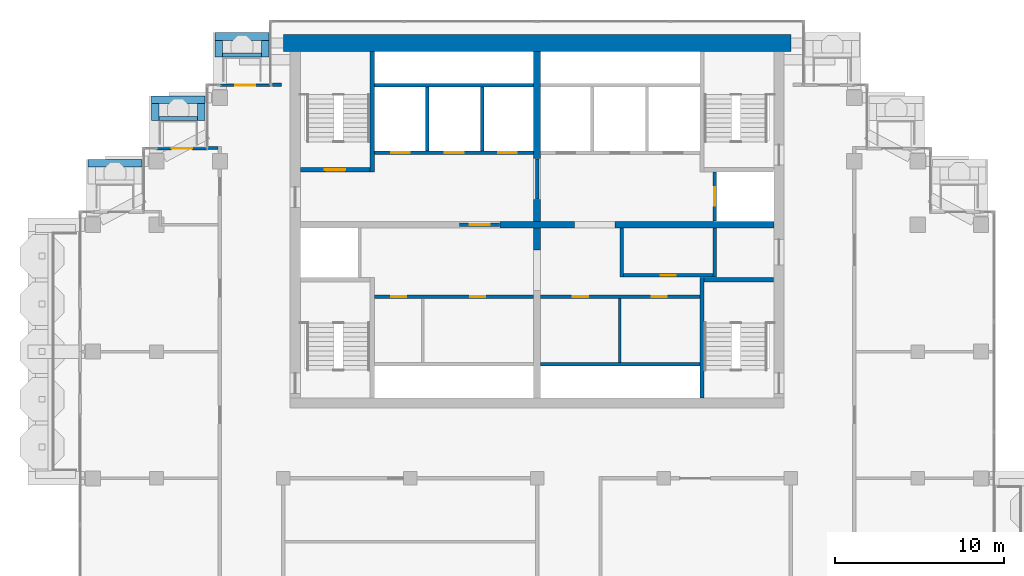
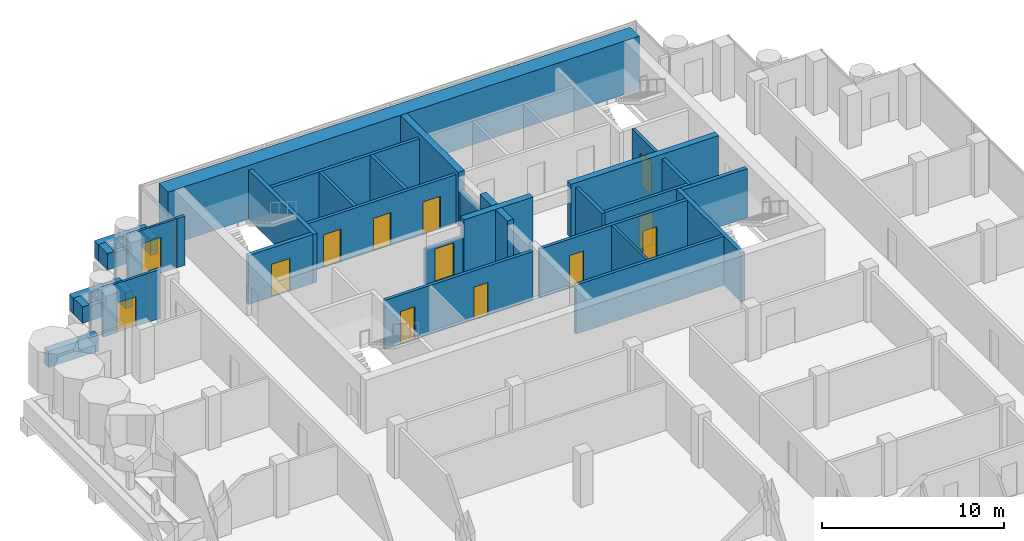
# One storey, part 13 of 18: 37 walls, 13 doors, 13 openings.
"""IFC4 building model written with IfcOpenShell, lengths in metres."""

from ifc_helpers import new_model, si_unit, direction, frame, frame_2d, origin, place, context, subcontext, project, spatial, rectangle, extrude, material, layer, layer_set, type_object, element, fill, save


model = new_model("IFC4")

# Units and contexts
model_context = context("Model", 3, precision=1e-05, world=origin(), true_north=direction((0.0, 1.0)))
body_context = subcontext(model_context, "Body", "Model", "MODEL_VIEW")
ifc_project = project(units=[si_unit("LENGTHUNIT", "METRE"), si_unit("AREAUNIT", "SQUARE_METRE"), si_unit("VOLUMEUNIT", "CUBIC_METRE"), si_unit("PLANEANGLEUNIT", "RADIAN"), si_unit("MASSUNIT", "GRAM", prefix="KILO")], contexts=[model_context])

# Site, building, storey
site_placement = place(None, origin())
site = spatial("IfcSite", under=ifc_project, at=site_placement, CompositionType="ELEMENT")
building_placement = place(site_placement, origin())
building = spatial("IfcBuilding", under=site, at=building_placement, Name="Pilkhan Gate Tower", CompositionType="ELEMENT")
storey_placement = place(building_placement, frame((0.0, 0.0, 228.300048828125)))
storey = spatial("IfcBuildingStorey", under=building, at=storey_placement, Name="L59", CompositionType="ELEMENT", Elevation=228.300048828125)

# Walls
ifc_material_1 = material(Name="Concrete C40/50", Category="concrete")
ifc_layer_1 = layer(ifc_material_1, 0.25)
ifc_layer_set_1 = layer_set([ifc_layer_1], Name="Balcony planter BP250")
wall_type_1 = type_object("IfcWallType", Name="Balcony planter BP250", PredefinedType="USERDEFINED", material=ifc_layer_set_1)
wall_1_placement = place(storey_placement, frame((56.39990234375, 92.52490234375, 0.0), z_axis=(0.0, 0.0, 1.0), x_axis=(1.0, 0.0, 0.0)))
element("IfcWall", 1, at=wall_1_placement, inside=storey, type_object=wall_type_1, Name="Balcony planter L59 N", ObjectType="BALCONY PLANTER", PredefinedType="USERDEFINED", context=body_context, shape_type="SweptSolid", body=[
    extrude(rectangle(XDim=2.300048828125, YDim=0.25, at=frame_2d((1.14990234375, 0.0))), origin(), (0.0, 0.0, 1.0), 1.0),
])
wall_2_placement = place(storey_placement, frame((52.64990234375, 88.77490234375, 0.0), z_axis=(0.0, 0.0, 1.0), x_axis=(1.0, 0.0, 0.0)))
element("IfcWall", 2, at=wall_2_placement, inside=storey, type_object=wall_type_1, Name="Balcony planter L59 N", ObjectType="BALCONY PLANTER", PredefinedType="USERDEFINED", context=body_context, shape_type="SweptSolid", body=[
    extrude(rectangle(XDim=2.280029296875, YDim=0.25, at=frame_2d((1.14013671875, 0.0))), origin(), (0.0, 0.0, 1.0), 1.0),
])
ifc_material_2 = material(Name="Board-marked Concrete C40/50", Category="concrete")
ifc_layer_2 = layer(ifc_material_2, 0.449951171875)
ifc_layer_set_2 = layer_set([ifc_layer_2], Name="Balcony planter lip BL450")
wall_type_2 = type_object("IfcWallType", Name="Balcony planter lip BL450", PredefinedType="USERDEFINED", material=ifc_layer_set_2)
wall_3_placement = place(storey_placement, frame((55.949951171875, 93.625, 0.0), z_axis=(0.0, 0.0, 1.0), x_axis=(1.0, 0.0, 0.0)))
element("IfcWall", 3, at=wall_3_placement, inside=storey, type_object=wall_type_2, Name="Balcony planter L59 N", ObjectType="BALCONY PLANTER", PredefinedType="USERDEFINED", context=body_context, shape_type="SweptSolid", body=[
    extrude(rectangle(XDim=3.199951171875, YDim=0.449951171875, at=frame_2d((1.60009765625, 0.0))), origin(), (0.0, 0.0, 1.0), 1.099853515625),
])
for number, where, z_axis, x_axis, name in (
    (4, (56.175048828125, 92.39990234375, 0.0), (0.0, 0.0, 1.0), (0.0, 1.0, 0.0), "Balcony planter L59 N"),
    (5, (58.925048828125, 92.39990234375, 0.0), (0.0, 0.0, 1.0), (0.0, 1.0, 0.0), "Balcony planter L59 N"),
):
    element("IfcWall", number, at=place(storey_placement, frame(where, z_axis=z_axis, x_axis=x_axis)), inside=storey, type_object=wall_type_2, Name=name, ObjectType="BALCONY PLANTER", PredefinedType="USERDEFINED", context=body_context, shape_type="SweptSolid", body=[
        extrude(rectangle(XDim=1.0, YDim=0.449951171875, at=frame_2d((0.5, 0.0))), origin(), (0.0, 0.0, 1.0), 1.099853515625),
    ])
wall_4_placement = place(storey_placement, frame((52.199951171875, 89.875, 0.0), z_axis=(0.0, 0.0, 1.0), x_axis=(1.0, 0.0, 0.0)))
element("IfcWall", 6, at=wall_4_placement, inside=storey, type_object=wall_type_2, Name="Balcony planter L59 N", ObjectType="BALCONY PLANTER", PredefinedType="USERDEFINED", context=body_context, shape_type="SweptSolid", body=[
    extrude(rectangle(XDim=3.179931640625, YDim=0.449951171875, at=frame_2d((1.58984375, 0.0))), origin(), (0.0, 0.0, 1.0), 1.099853515625),
])
for number, where, z_axis, x_axis, name in (
    (7, (52.425048828125, 88.64990234375, 0.0), (0.0, 0.0, 1.0), (0.0, 1.0, 0.0), "Balcony planter L59 N"),
    (8, (55.155029296875, 88.64990234375, 0.0), (0.0, 0.0, 1.0), (0.0, 1.0, 0.0), "Balcony planter L59 N"),
):
    element("IfcWall", number, at=place(storey_placement, frame(where, z_axis=z_axis, x_axis=x_axis)), inside=storey, type_object=wall_type_2, Name=name, ObjectType="BALCONY PLANTER", PredefinedType="USERDEFINED", context=body_context, shape_type="SweptSolid", body=[
        extrude(rectangle(XDim=1.0, YDim=0.449951171875, at=frame_2d((0.5, 0.0))), origin(), (0.0, 0.0, 1.0), 1.099853515625),
    ])
wall_5_placement = place(storey_placement, frame((48.449951171875, 86.125, 0.0), z_axis=(0.0, 0.0, 1.0), x_axis=(1.0, 0.0, 0.0)))
element("IfcWall", 9, at=wall_5_placement, inside=storey, type_object=wall_type_2, Name="Balcony planter L59 N", ObjectType="BALCONY PLANTER", PredefinedType="USERDEFINED", context=body_context, shape_type="SweptSolid", body=[
    extrude(rectangle(XDim=3.179931640625, YDim=0.449951171875, at=frame_2d((1.58984375, 0.0))), origin(), (0.0, 0.0, 1.0), 1.099853515625),
])
ifc_material_3 = material(Name="Concrete C50/60", Category="concrete")
ifc_layer_3 = layer(ifc_material_3, 1.0)
ifc_layer_set_3 = layer_set([ifc_layer_3], Name="Core wall CW1000 C50/60")
wall_type_3 = type_object("IfcWallType", Name="Core wall CW1000 C50/60", PredefinedType="SHEAR", material=ifc_layer_set_3)
wall_6_placement = place(storey_placement, frame((90.0, 93.25, 0.0), z_axis=(0.0, 0.0, 1.0), x_axis=(-1.0, 0.0, 0.0)))
element("IfcWall", 10, at=wall_6_placement, inside=storey, type_object=wall_type_3, Name="Core wall N L59", PredefinedType="SHEAR", context=body_context, shape_type="SweptSolid", body=[
    extrude(rectangle(XDim=30.0, YDim=1.0, at=frame_2d((15.0, 0.0))), origin(), (0.0, 0.0, 1.0), 3.599853515625),
])
ifc_material_4 = material(Name="Dense blockwork", Category="masonry")
ifc_layer_4 = layer(ifc_material_4, 0.199951171875)
ifc_layer_set_4 = layer_set([ifc_layer_4], Name="Corridor wall FW200")
wall_type_4 = type_object("IfcWallType", Name="Corridor wall FW200", PredefinedType="PARTITIONING", material=ifc_layer_set_4)
wall_7_placement = place(storey_placement, frame((55.510009765625, 87.030029296875, 0.0), z_axis=(0.0, 0.0, 1.0), x_axis=(1.0, 0.0, 0.0)))
element("IfcWall", 11, at=wall_7_placement, inside=storey, type_object=wall_type_4, Name="Partition L59", PredefinedType="PARTITIONING", context=body_context, shape_type="SweptSolid", body=[
    extrude(rectangle(XDim=0.639892578125, YDim=0.199951171875, at=frame_2d((0.31982421875, 0.0))), origin(), (0.0, 0.0, 1.0), 3.300048828125),
])
wall_8_placement = place(storey_placement, frame((59.35498046875, 90.764892578125, 0.0), z_axis=(0.0, 0.0, 1.0), x_axis=(1.0, 0.0, 0.0)))
element("IfcWall", 12, at=wall_8_placement, inside=storey, type_object=wall_type_4, Name="Partition L59", PredefinedType="PARTITIONING", context=body_context, shape_type="SweptSolid", body=[
    extrude(rectangle(XDim=0.52490234375, YDim=0.199951171875, at=frame_2d((0.262451171875, 0.0))), origin(), (0.0, 0.0, 1.0), 3.300048828125),
])

# Wall, opening, door
ifc_material_5 = material(Name="Pale anodised aluminium, clear laminated glazing", Category="aluminium")
ifc_layer_5 = layer(ifc_material_5, 0.14990234375)
ifc_layer_set_5 = layer_set([ifc_layer_5], Name="Facade infill wall IW150")
wall_type_5 = type_object("IfcWallType", Name="Facade infill wall IW150", PredefinedType="SOLIDWALL", material=ifc_layer_set_5)
wall_9_placement = place(storey_placement, frame((56.25, 90.75, 0.0), z_axis=(0.0, 0.0, 1.0), x_axis=(1.0, 0.0, 0.0)))
wall_9 = element("IfcWall", 13, at=wall_9_placement, inside=storey, type_object=wall_type_5, Name="Infill wall L59 N", PredefinedType="SOLIDWALL", context=body_context, shape_type="SweptSolid", body=[
    extrude(rectangle(XDim=3.0, YDim=0.14990234375, at=frame_2d((1.5, 0.0))), origin(), (0.0, 0.0, 1.0), 3.300048828125),
])
opening_1_placement = place(wall_9_placement, frame((0.89990234375, 0.0, 0.0)))
opening_1 = element("IfcOpeningElement", 14, at=opening_1_placement, cuts=wall_9, Name="Opening D1", PredefinedType="OPENING", context=body_context, shape_type="SweptSolid", body=[
    extrude(rectangle(XDim=1.199951171875, YDim=2.39990234375, at=frame_2d((0.60009765625, 1.199951171875))), frame((0.0, 0.0849609375, 0.0), z_axis=(0.0, -1.0, 0.0), x_axis=(1.0, 0.0, 0.0)), (0.0, 0.0, 1.0), 0.169921875),
])
ifc_material_6 = material(Name="Pale anodised aluminium, clear glazing", Category="aluminium")
door_type_1 = type_object("IfcDoorType", Name="Balcony door D1 1200x2400", OperationType="SINGLE_SWING_LEFT", PredefinedType="DOOR", material=ifc_material_6)
door_1_placement = place(opening_1_placement, origin())
door_1 = element("IfcDoor", 15, at=door_1_placement, inside=storey, type_object=door_type_1, Name="Balcony door L59", OperationType="SINGLE_SWING_LEFT", OverallHeight=2.39990234375, OverallWidth=1.199951171875, PredefinedType="DOOR", context=body_context, shape_type="SweptSolid", body=[
    extrude(rectangle(XDim=1.199951171875, YDim=2.39990234375, at=frame_2d((0.60009765625, 1.199951171875))), frame((0.0, 0.02490234375, 0.0), z_axis=(0.0, -1.0, 0.0), x_axis=(1.0, 0.0, 0.0)), (0.0, 0.0, 1.0), 0.050048828125),
])
fill(opening_1, door_1)

wall_10_placement = place(storey_placement, frame((52.5, 87.0, 0.0), z_axis=(0.0, 0.0, 1.0), x_axis=(1.0, 0.0, 0.0)))
wall_10 = element("IfcWall", 16, at=wall_10_placement, inside=storey, type_object=wall_type_5, Name="Infill wall L59 N", PredefinedType="SOLIDWALL", context=body_context, shape_type="SweptSolid", body=[
    extrude(rectangle(XDim=3.0, YDim=0.14990234375, at=frame_2d((1.5, 0.0))), origin(), (0.0, 0.0, 1.0), 3.300048828125),
])
opening_2_placement = place(wall_10_placement, frame((0.89990234375, 0.0, 0.0)))
opening_2 = element("IfcOpeningElement", 17, at=opening_2_placement, cuts=wall_10, Name="Opening D1L", PredefinedType="OPENING", context=body_context, shape_type="SweptSolid", body=[
    extrude(rectangle(XDim=1.199951171875, YDim=2.0, at=frame_2d((0.60009765625, 1.0))), frame((0.0, 0.0849609375, 0.0), z_axis=(0.0, -1.0, 0.0), x_axis=(1.0, 0.0, 0.0)), (0.0, 0.0, 1.0), 0.169921875),
])
door_type_2 = type_object("IfcDoorType", Name="Balcony door D1L 1200x2000", OperationType="SINGLE_SWING_LEFT", PredefinedType="DOOR", material=ifc_material_6)
door_2_placement = place(opening_2_placement, origin())
door_2 = element("IfcDoor", 18, at=door_2_placement, inside=storey, type_object=door_type_2, Name="Balcony door L59", OperationType="SINGLE_SWING_LEFT", OverallHeight=2.0, OverallWidth=1.199951171875, PredefinedType="DOOR", context=body_context, shape_type="SweptSolid", body=[
    extrude(rectangle(XDim=1.199951171875, YDim=2.0, at=frame_2d((0.60009765625, 1.0))), frame((0.0, 0.02490234375, 0.0), z_axis=(0.0, -1.0, 0.0), x_axis=(1.0, 0.0, 0.0)), (0.0, 0.0, 1.0), 0.050048828125),
])
fill(opening_2, door_2)

# Wall
ifc_layer_6 = layer(ifc_material_4, 0.199951171875)
ifc_layer_set_6 = layer_set([ifc_layer_6], Name="Lobby wall LW200")
wall_type_6 = type_object("IfcWallType", Name="Lobby wall LW200", PredefinedType="PARTITIONING", material=ifc_layer_set_6)
wall_11_placement = place(storey_placement, frame((75.2099609375, 74.25, 0.0), z_axis=(0.0, 0.0, 1.0), x_axis=(1.0, 0.0, 0.0)))
element("IfcWall", 19, at=wall_11_placement, inside=storey, type_object=wall_type_6, Name="Partition L59", PredefinedType="PARTITIONING", context=body_context, shape_type="SweptSolid", body=[
    extrude(rectangle(XDim=9.4150390625, YDim=0.199951171875, at=frame_2d((4.70751953125, 0.0))), origin(), (0.0, 0.0, 1.0), 3.300048828125),
])

# Wall, openings, doors
wall_12_placement = place(storey_placement, frame((65.375, 78.25, 0.0), z_axis=(0.0, 0.0, 1.0), x_axis=(1.0, 0.0, 0.0)))
wall_12 = element("IfcWall", 20, at=wall_12_placement, inside=storey, type_object=wall_type_6, Name="Partition L59", PredefinedType="PARTITIONING", context=body_context, shape_type="SweptSolid", body=[
    extrude(rectangle(XDim=9.4150390625, YDim=0.199951171875, at=frame_2d((4.70751953125, 0.0))), origin(), (0.0, 0.0, 1.0), 3.300048828125),
])
opening_3_placement = place(wall_12_placement, frame((1.0, 0.0, 0.0)))
opening_3 = element("IfcOpeningElement", 21, at=opening_3_placement, cuts=wall_12, Name="Opening L59-09", PredefinedType="OPENING", context=body_context, shape_type="SweptSolid", body=[
    extrude(rectangle(XDim=0.89990234375, YDim=2.199951171875, at=frame_2d((0.449951171875, 1.10009765625))), frame((0.0, 0.10986328125, 0.0), z_axis=(0.0, -1.0, 0.0), x_axis=(1.0, 0.0, 0.0)), (0.0, 0.0, 1.0), 0.219970703125),
])
opening_4_placement = place(wall_12_placement, frame((5.6650390625, 0.0, 0.0)))
opening_4 = element("IfcOpeningElement", 22, at=opening_4_placement, cuts=wall_12, Name="Opening L59-10", PredefinedType="OPENING", context=body_context, shape_type="SweptSolid", body=[
    extrude(rectangle(XDim=0.89990234375, YDim=2.199951171875, at=frame_2d((0.449951171875, 1.10009765625))), frame((0.0, 0.10986328125, 0.0), z_axis=(0.0, -1.0, 0.0), x_axis=(1.0, 0.0, 0.0)), (0.0, 0.0, 1.0), 0.219970703125),
])
ifc_material_7 = material(Name="Timber flush door, 60 minute fire resisting, self-closing", Category="wood")
door_type_3 = type_object("IfcDoorType", Name="Store door D05 900x2200", OperationType="SINGLE_SWING_LEFT", PredefinedType="DOOR", material=ifc_material_7)
door_3_placement = place(opening_3_placement, origin())
door_3 = element("IfcDoor", 23, at=door_3_placement, inside=storey, type_object=door_type_3, Name="Store door", OperationType="SINGLE_SWING_LEFT", OverallHeight=2.199951171875, OverallWidth=0.89990234375, PredefinedType="DOOR", context=body_context, shape_type="SweptSolid", body=[
    extrude(rectangle(XDim=0.89990234375, YDim=2.199951171875, at=frame_2d((0.449951171875, 1.10009765625))), frame((0.0, 0.02490234375, 0.0), z_axis=(0.0, -1.0, 0.0), x_axis=(1.0, 0.0, 0.0)), (0.0, 0.0, 1.0), 0.050048828125),
])
fill(opening_3, door_3)
door_4_placement = place(opening_4_placement, origin())
door_4 = element("IfcDoor", 24, at=door_4_placement, inside=storey, type_object=door_type_3, Name="Store door", OperationType="SINGLE_SWING_LEFT", OverallHeight=2.199951171875, OverallWidth=0.89990234375, PredefinedType="DOOR", context=body_context, shape_type="SweptSolid", body=[
    extrude(rectangle(XDim=0.89990234375, YDim=2.199951171875, at=frame_2d((0.449951171875, 1.10009765625))), frame((0.0, 0.02490234375, 0.0), z_axis=(0.0, -1.0, 0.0), x_axis=(1.0, 0.0, 0.0)), (0.0, 0.0, 1.0), 0.050048828125),
])
fill(opening_4, door_4)

wall_13_placement = place(storey_placement, frame((75.2099609375, 78.25, 0.0), z_axis=(0.0, 0.0, 1.0), x_axis=(1.0, 0.0, 0.0)))
wall_13 = element("IfcWall", 25, at=wall_13_placement, inside=storey, type_object=wall_type_6, Name="Partition L59", PredefinedType="PARTITIONING", context=body_context, shape_type="SweptSolid", body=[
    extrude(rectangle(XDim=9.4150390625, YDim=0.199951171875, at=frame_2d((4.70751953125, 0.0))), origin(), (0.0, 0.0, 1.0), 3.300048828125),
])
opening_5_placement = place(wall_13_placement, frame((1.89990234375, 0.0, 0.0)))
opening_5 = element("IfcOpeningElement", 26, at=opening_5_placement, cuts=wall_13, Name="Opening L59-11", PredefinedType="OPENING", context=body_context, shape_type="SweptSolid", body=[
    extrude(rectangle(XDim=0.89990234375, YDim=2.199951171875, at=frame_2d((0.449951171875, 1.10009765625))), frame((0.0, 0.10986328125, 0.0), z_axis=(0.0, -1.0, 0.0), x_axis=(1.0, 0.0, 0.0)), (0.0, 0.0, 1.0), 0.219970703125),
])
opening_6_placement = place(wall_13_placement, frame((6.56494140625, 0.0, 0.0)))
opening_6 = element("IfcOpeningElement", 27, at=opening_6_placement, cuts=wall_13, Name="Opening L59-12", PredefinedType="OPENING", context=body_context, shape_type="SweptSolid", body=[
    extrude(rectangle(XDim=0.89990234375, YDim=2.199951171875, at=frame_2d((0.449951171875, 1.10009765625))), frame((0.0, 0.10986328125, 0.0), z_axis=(0.0, -1.0, 0.0), x_axis=(1.0, 0.0, 0.0)), (0.0, 0.0, 1.0), 0.219970703125),
])
door_5_placement = place(opening_5_placement, origin())
door_5 = element("IfcDoor", 28, at=door_5_placement, inside=storey, type_object=door_type_3, Name="Store door", OperationType="SINGLE_SWING_LEFT", OverallHeight=2.199951171875, OverallWidth=0.89990234375, PredefinedType="DOOR", context=body_context, shape_type="SweptSolid", body=[
    extrude(rectangle(XDim=0.89990234375, YDim=2.199951171875, at=frame_2d((0.449951171875, 1.10009765625))), frame((0.0, 0.02490234375, 0.0), z_axis=(0.0, -1.0, 0.0), x_axis=(1.0, 0.0, 0.0)), (0.0, 0.0, 1.0), 0.050048828125),
])
fill(opening_5, door_5)
door_6_placement = place(opening_6_placement, origin())
door_6 = element("IfcDoor", 29, at=door_6_placement, inside=storey, type_object=door_type_3, Name="Store door", OperationType="SINGLE_SWING_LEFT", OverallHeight=2.199951171875, OverallWidth=0.89990234375, PredefinedType="DOOR", context=body_context, shape_type="SweptSolid", body=[
    extrude(rectangle(XDim=0.89990234375, YDim=2.199951171875, at=frame_2d((0.449951171875, 1.10009765625))), frame((0.0, 0.02490234375, 0.0), z_axis=(0.0, -1.0, 0.0), x_axis=(1.0, 0.0, 0.0)), (0.0, 0.0, 1.0), 0.050048828125),
])
fill(opening_6, door_6)

# Wall, opening, door
wall_14_placement = place(storey_placement, frame((80.10009765625, 79.5, 0.0), z_axis=(0.0, 0.0, 1.0), x_axis=(1.0, 0.0, 0.0)))
wall_14 = element("IfcWall", 30, at=wall_14_placement, inside=storey, type_object=wall_type_6, Name="Partition L59", PredefinedType="PARTITIONING", context=body_context, shape_type="SweptSolid", body=[
    extrude(rectangle(XDim=5.2998046875, YDim=0.199951171875, at=frame_2d((2.64990234375, 0.0))), origin(), (0.0, 0.0, 1.0), 3.300048828125),
])
opening_7_placement = place(wall_14_placement, frame((2.199951171875, 0.0, 0.0)))
opening_7 = element("IfcOpeningElement", 31, at=opening_7_placement, cuts=wall_14, Name="Opening L59-07", PredefinedType="OPENING", context=body_context, shape_type="SweptSolid", body=[
    extrude(rectangle(XDim=0.89990234375, YDim=2.199951171875, at=frame_2d((0.449951171875, 1.10009765625))), frame((0.0, 0.10986328125, 0.0), z_axis=(0.0, -1.0, 0.0), x_axis=(1.0, 0.0, 0.0)), (0.0, 0.0, 1.0), 0.219970703125),
])
door_7_placement = place(opening_7_placement, origin())
door_7 = element("IfcDoor", 32, at=door_7_placement, inside=storey, type_object=door_type_3, Name="Store door", OperationType="SINGLE_SWING_LEFT", OverallHeight=2.199951171875, OverallWidth=0.89990234375, PredefinedType="DOOR", context=body_context, shape_type="SweptSolid", body=[
    extrude(rectangle(XDim=0.89990234375, YDim=2.199951171875, at=frame_2d((0.449951171875, 1.10009765625))), frame((0.0, 0.02490234375, 0.0), z_axis=(0.0, -1.0, 0.0), x_axis=(1.0, 0.0, 0.0)), (0.0, 0.0, 1.0), 0.050048828125),
])
fill(opening_7, door_7)

wall_15_placement = place(storey_placement, frame((70.409912109375, 82.5, 0.0), z_axis=(0.0, 0.0, 1.0), x_axis=(1.0, 0.0, 0.0)))
wall_15 = element("IfcWall", 33, at=wall_15_placement, inside=storey, type_object=wall_type_6, Name="Partition L59", PredefinedType="PARTITIONING", context=body_context, shape_type="SweptSolid", body=[
    extrude(rectangle(XDim=2.380126953125, YDim=0.199951171875, at=frame_2d((1.18994140625, 0.0))), origin(), (0.0, 0.0, 1.0), 2.39990234375),
])
opening_8_placement = place(wall_15_placement, frame((0.60009765625, 0.0, 0.0)))
opening_8 = element("IfcOpeningElement", 34, at=opening_8_placement, cuts=wall_15, Name="Opening L59-01", PredefinedType="OPENING", context=body_context, shape_type="SweptSolid", body=[
    extrude(rectangle(XDim=1.199951171875, YDim=2.199951171875, at=frame_2d((0.60009765625, 1.10009765625))), frame((0.0, 0.10986328125, 0.0), z_axis=(0.0, -1.0, 0.0), x_axis=(1.0, 0.0, 0.0)), (0.0, 0.0, 1.0), 0.219970703125),
])
ifc_material_8 = material(Name="Steel door, 120 minute fire resisting, self-closing", Category="steel")
door_type_4 = type_object("IfcDoorType", Name="Firefighting lobby door D10 1200x2200", OperationType="SINGLE_SWING_LEFT", PredefinedType="DOOR", material=ifc_material_8)
door_8_placement = place(opening_8_placement, origin())
door_8 = element("IfcDoor", 35, at=door_8_placement, inside=storey, type_object=door_type_4, Name="Firefighting lobby door", OperationType="SINGLE_SWING_RIGHT", OverallHeight=2.199951171875, OverallWidth=1.199951171875, PredefinedType="DOOR", context=body_context, shape_type="SweptSolid", body=[
    extrude(rectangle(XDim=1.199951171875, YDim=2.199951171875, at=frame_2d((0.60009765625, 1.10009765625))), frame((0.0, 0.02490234375, 0.0), z_axis=(0.0, -1.0, 0.0), x_axis=(1.0, 0.0, 0.0)), (0.0, 0.0, 1.0), 0.050048828125),
])
fill(opening_8, door_8)

# Walls
wall_16_placement = place(storey_placement, frame((75.0, 84.010009765625, 0.0), z_axis=(0.0, 0.0, 1.0), x_axis=(0.0, 1.0, 0.0)))
element("IfcWall", 36, at=wall_16_placement, inside=storey, type_object=wall_type_6, Name="Partition L59", PredefinedType="PARTITIONING", context=body_context, shape_type="SweptSolid", body=[
    extrude(rectangle(XDim=2.3798828125, YDim=0.199951171875, at=frame_2d((1.18994140625, 0.0))), origin(), (0.0, 0.0, 1.0), 2.39990234375),
])
for number, where, z_axis, x_axis, name in (
    (37, (80.0, 79.39990234375, 0.0), (0.0, 0.0, 1.0), (0.0, 1.0, 0.0), "Partition L59"),
    (38, (85.5, 79.39990234375, 0.0), (0.0, 0.0, 1.0), (0.0, 1.0, 0.0), "Partition L59"),
):
    element("IfcWall", number, at=place(storey_placement, frame(where, z_axis=z_axis, x_axis=x_axis)), inside=storey, type_object=wall_type_6, Name=name, PredefinedType="PARTITIONING", context=body_context, shape_type="SweptSolid", body=[
        extrude(rectangle(XDim=2.89013671875, YDim=0.199951171875, at=frame_2d((1.445068359375, 0.0))), origin(), (0.0, 0.0, 1.0), 3.300048828125),
    ])
ifc_material_9 = material(Name="Blockwork partition, plastered both sides", Category="masonry")
ifc_layer_7 = layer(ifc_material_9, 0.14990234375)
ifc_layer_set_7 = layer_set([ifc_layer_7], Name="Partition PW150")
wall_type_7 = type_object("IfcWallType", Name="Partition PW150", PredefinedType="PARTITIONING", material=ifc_layer_set_7)
wall_17_placement = place(storey_placement, frame((79.875, 74.35009765625, 0.0), z_axis=(0.0, 0.0, 1.0), x_axis=(0.0, 1.0, 0.0)))
element("IfcWall", 39, at=wall_17_placement, inside=storey, type_object=wall_type_7, Name="Partition L59", PredefinedType="PARTITIONING", context=body_context, shape_type="SweptSolid", body=[
    extrude(rectangle(XDim=3.7998046875, YDim=0.14990234375, at=frame_2d((1.89990234375, 0.0))), origin(), (0.0, 0.0, 1.0), 3.300048828125),
])

# Wall, openings, doors
ifc_material_10 = material(Name="Reinforced blockwork shaft wall, 120 minute fire resisting", Category="masonry")
ifc_layer_8 = layer(ifc_material_10, 0.199951171875)
ifc_layer_set_8 = layer_set([ifc_layer_8], Name="Shaft wall SW200")
wall_type_8 = type_object("IfcWallType", Name="Shaft wall SW200", PredefinedType="PARTITIONING", material=ifc_layer_set_8)
wall_18_placement = place(storey_placement, frame((65.375, 86.75, 0.0), z_axis=(0.0, 0.0, 1.0), x_axis=(1.0, 0.0, 0.0)))
wall_18 = element("IfcWall", 40, at=wall_18_placement, inside=storey, type_object=wall_type_8, Name="Partition L59", PredefinedType="PARTITIONING", context=body_context, shape_type="SweptSolid", body=[
    extrude(rectangle(XDim=9.4150390625, YDim=0.199951171875, at=frame_2d((4.70751953125, 0.0))), origin(), (0.0, 0.0, 1.0), 3.300048828125),
])
opening_9_placement = place(wall_18_placement, frame((1.0, 0.0, 0.0)))
opening_9 = element("IfcOpeningElement", 41, at=opening_9_placement, cuts=wall_18, Name="Opening LD", PredefinedType="OPENING", context=body_context, shape_type="SweptSolid", body=[
    extrude(rectangle(XDim=1.10009765625, YDim=2.199951171875, at=frame_2d((0.550048828125, 1.10009765625))), frame((0.0, 0.10986328125, 0.0), z_axis=(0.0, -1.0, 0.0), x_axis=(1.0, 0.0, 0.0)), (0.0, 0.0, 1.0), 0.219970703125),
])
opening_10_placement = place(wall_18_placement, frame((4.175048828125, 0.0, 0.0)))
opening_10 = element("IfcOpeningElement", 42, at=opening_10_placement, cuts=wall_18, Name="Opening LD", PredefinedType="OPENING", context=body_context, shape_type="SweptSolid", body=[
    extrude(rectangle(XDim=1.10009765625, YDim=2.199951171875, at=frame_2d((0.550048828125, 1.10009765625))), frame((0.0, 0.10986328125, 0.0), z_axis=(0.0, -1.0, 0.0), x_axis=(1.0, 0.0, 0.0)), (0.0, 0.0, 1.0), 0.219970703125),
])
opening_11_placement = place(wall_18_placement, frame((7.324951171875, 0.0, 0.0)))
opening_11 = element("IfcOpeningElement", 43, at=opening_11_placement, cuts=wall_18, Name="Opening LD", PredefinedType="OPENING", context=body_context, shape_type="SweptSolid", body=[
    extrude(rectangle(XDim=1.10009765625, YDim=2.199951171875, at=frame_2d((0.550048828125, 1.10009765625))), frame((0.0, 0.10986328125, 0.0), z_axis=(0.0, -1.0, 0.0), x_axis=(1.0, 0.0, 0.0)), (0.0, 0.0, 1.0), 0.219970703125),
])
ifc_material_11 = material(Name="Stainless steel centre-opening landing door, 120 minute fire resisting", Category="steel")
door_type_5 = type_object("IfcDoorType", Name="Lift landing door LD 1100x2200", OperationType="DOUBLE_DOOR_SLIDING", PredefinedType="DOOR", material=ifc_material_11)
door_9_placement = place(opening_9_placement, origin())
door_9 = element("IfcDoor", 44, at=door_9_placement, inside=storey, type_object=door_type_5, Name="Landing door FF1", OperationType="DOUBLE_DOOR_SLIDING", OverallHeight=2.199951171875, OverallWidth=1.10009765625, PredefinedType="DOOR", context=body_context, shape_type="SweptSolid", body=[
    extrude(rectangle(XDim=1.10009765625, YDim=2.199951171875, at=frame_2d((0.550048828125, 1.10009765625))), frame((0.0, 0.02490234375, 0.0), z_axis=(0.0, -1.0, 0.0), x_axis=(1.0, 0.0, 0.0)), (0.0, 0.0, 1.0), 0.050048828125),
])
fill(opening_9, door_9)
door_10_placement = place(opening_10_placement, origin())
door_10 = element("IfcDoor", 45, at=door_10_placement, inside=storey, type_object=door_type_5, Name="Landing door FF2", OperationType="DOUBLE_DOOR_SLIDING", OverallHeight=2.199951171875, OverallWidth=1.10009765625, PredefinedType="DOOR", context=body_context, shape_type="SweptSolid", body=[
    extrude(rectangle(XDim=1.10009765625, YDim=2.199951171875, at=frame_2d((0.550048828125, 1.10009765625))), frame((0.0, 0.02490234375, 0.0), z_axis=(0.0, -1.0, 0.0), x_axis=(1.0, 0.0, 0.0)), (0.0, 0.0, 1.0), 0.050048828125),
])
fill(opening_10, door_10)
door_11_placement = place(opening_11_placement, origin())
door_11 = element("IfcDoor", 46, at=door_11_placement, inside=storey, type_object=door_type_5, Name="Landing door SV1", OperationType="DOUBLE_DOOR_SLIDING", OverallHeight=2.199951171875, OverallWidth=1.10009765625, PredefinedType="DOOR", context=body_context, shape_type="SweptSolid", body=[
    extrude(rectangle(XDim=1.10009765625, YDim=2.199951171875, at=frame_2d((0.550048828125, 1.10009765625))), frame((0.0, 0.02490234375, 0.0), z_axis=(0.0, -1.0, 0.0), x_axis=(1.0, 0.0, 0.0)), (0.0, 0.0, 1.0), 0.050048828125),
])
fill(opening_11, door_11)

# Walls
wall_19_placement = place(storey_placement, frame((65.375, 90.75, 0.0), z_axis=(0.0, 0.0, 1.0), x_axis=(1.0, 0.0, 0.0)))
element("IfcWall", 47, at=wall_19_placement, inside=storey, type_object=wall_type_8, Name="Partition L59", PredefinedType="PARTITIONING", context=body_context, shape_type="SweptSolid", body=[
    extrude(rectangle(XDim=9.4150390625, YDim=0.199951171875, at=frame_2d((4.70751953125, 0.0))), origin(), (0.0, 0.0, 1.0), 3.300048828125),
])
for number, where, z_axis, x_axis, name in (
    (48, (68.5, 86.85009765625, 0.0), (0.0, 0.0, 1.0), (0.0, 1.0, 0.0), "Partition L59"),
    (49, (71.75, 86.85009765625, 0.0), (0.0, 0.0, 1.0), (0.0, 1.0, 0.0), "Partition L59"),
):
    element("IfcWall", number, at=place(storey_placement, frame(where, z_axis=z_axis, x_axis=x_axis)), inside=storey, type_object=wall_type_8, Name=name, PredefinedType="PARTITIONING", context=body_context, shape_type="SweptSolid", body=[
        extrude(rectangle(XDim=3.7998046875, YDim=0.199951171875, at=frame_2d((1.89990234375, 0.0))), origin(), (0.0, 0.0, 1.0), 3.300048828125),
    ])

# Wall, opening, door
wall_20_placement = place(storey_placement, frame((85.5, 82.7099609375, 0.0), z_axis=(0.0, 0.0, 1.0), x_axis=(0.0, 1.0, 0.0)))
wall_20 = element("IfcWall", 50, at=wall_20_placement, inside=storey, type_object=wall_type_8, Name="Partition L59", PredefinedType="PARTITIONING", context=body_context, shape_type="SweptSolid", body=[
    extrude(rectangle(XDim=2.9150390625, YDim=0.199951171875, at=frame_2d((1.45751953125, 0.0))), origin(), (0.0, 0.0, 1.0), 3.300048828125),
])
opening_12_placement = place(wall_20_placement, frame((0.89990234375, 0.0, 0.0)))
opening_12 = element("IfcOpeningElement", 51, at=opening_12_placement, cuts=wall_20, Name="Opening LD", PredefinedType="OPENING", context=body_context, shape_type="SweptSolid", body=[
    extrude(rectangle(XDim=1.10009765625, YDim=2.199951171875, at=frame_2d((0.550048828125, 1.10009765625))), frame((0.0, 0.10986328125, 0.0), z_axis=(0.0, -1.0, 0.0), x_axis=(1.0, 0.0, 0.0)), (0.0, 0.0, 1.0), 0.219970703125),
])
door_12_placement = place(opening_12_placement, origin())
door_12 = element("IfcDoor", 52, at=door_12_placement, inside=storey, type_object=door_type_5, Name="Landing door HR4", OperationType="DOUBLE_DOOR_SLIDING", OverallHeight=2.199951171875, OverallWidth=1.10009765625, PredefinedType="DOOR", context=body_context, shape_type="SweptSolid", body=[
    extrude(rectangle(XDim=1.10009765625, YDim=2.199951171875, at=frame_2d((0.550048828125, 1.10009765625))), frame((0.0, 0.02490234375, 0.0), z_axis=(0.0, -1.0, 0.0), x_axis=(1.0, 0.0, 0.0)), (0.0, 0.0, 1.0), 0.050048828125),
])
fill(opening_12, door_12)

# Walls
ifc_layer_9 = layer(ifc_material_3, 0.39990234375)
ifc_layer_set_9 = layer_set([ifc_layer_9], Name="Spine wall SW400 C50/60")
wall_type_9 = type_object("IfcWallType", Name="Spine wall SW400 C50/60", PredefinedType="SHEAR", material=ifc_layer_set_9)
wall_21_placement = place(storey_placement, frame((72.800048828125, 82.5, 0.0), z_axis=(0.0, 0.0, 1.0), x_axis=(1.0, 0.0, 0.0)))
element("IfcWall", 53, at=wall_21_placement, inside=storey, type_object=wall_type_9, Name="Spine wall SP-EW2 L59", PredefinedType="SHEAR", context=body_context, shape_type="SweptSolid", body=[
    extrude(rectangle(XDim=4.39990234375, YDim=0.39990234375, at=frame_2d((2.199951171875, 0.0))), origin(), (0.0, 0.0, 1.0), 3.599853515625),
])
wall_22_placement = place(storey_placement, frame((79.60009765625, 82.5, 0.0), z_axis=(0.0, 0.0, 1.0), x_axis=(1.0, 0.0, 0.0)))
element("IfcWall", 54, at=wall_22_placement, inside=storey, type_object=wall_type_9, Name="Spine wall SP-EW3 L59", PredefinedType="SHEAR", context=body_context, shape_type="SweptSolid", body=[
    extrude(rectangle(XDim=9.39990234375, YDim=0.39990234375, at=frame_2d((4.699951171875, 0.0))), origin(), (0.0, 0.0, 1.0), 3.599853515625),
])
for number, where, z_axis, x_axis, name in (
    (55, (75.0, 81.0, 0.0), (0.0, 0.0, 1.0), (0.0, 1.0, 0.0), "Spine wall SP-NS-S2 L59"),
    (56, (75.0, 82.699951171875, 0.0), (0.0, 0.0, 1.0), (0.0, 1.0, 0.0), "Spine wall SP-NS-N1 L59"),
):
    element("IfcWall", number, at=place(storey_placement, frame(where, z_axis=z_axis, x_axis=x_axis)), inside=storey, type_object=wall_type_9, Name=name, PredefinedType="SHEAR", context=body_context, shape_type="SweptSolid", body=[
        extrude(rectangle(XDim=1.300048828125, YDim=0.39990234375, at=frame_2d((0.64990234375, 0.0))), origin(), (0.0, 0.0, 1.0), 3.599853515625),
    ])
wall_23_placement = place(storey_placement, frame((75.0, 86.39990234375, 0.0), z_axis=(0.0, 0.0, 1.0), x_axis=(0.0, 1.0, 0.0)))
element("IfcWall", 57, at=wall_23_placement, inside=storey, type_object=wall_type_9, Name="Spine wall SP-NS-N2 L59", PredefinedType="SHEAR", context=body_context, shape_type="SweptSolid", body=[
    extrude(rectangle(XDim=6.35009765625, YDim=0.39990234375, at=frame_2d((3.175048828125, 0.0))), origin(), (0.0, 0.0, 1.0), 3.599853515625),
])
ifc_material_12 = material(Name="Reinforced blockwork, 120 minute fire resisting", Category="masonry")
ifc_layer_10 = layer(ifc_material_12, 0.25)
ifc_layer_set_10 = layer_set([ifc_layer_10], Name="Stair enclosure wall SE250")
wall_type_10 = type_object("IfcWallType", Name="Stair enclosure wall SE250", PredefinedType="PARTITIONING", material=ifc_layer_set_10)
wall_24_placement = place(storey_placement, frame((84.875, 79.25, 0.0), z_axis=(0.0, 0.0, 1.0), x_axis=(1.0, 0.0, 0.0)))
element("IfcWall", 58, at=wall_24_placement, inside=storey, type_object=wall_type_10, Name="Partition L59", PredefinedType="PARTITIONING", context=body_context, shape_type="SweptSolid", body=[
    extrude(rectangle(XDim=4.114990234375, YDim=0.25, at=frame_2d((2.0576171875, 0.0))), origin(), (0.0, 0.0, 1.0), 3.300048828125),
])

# Wall, opening, door
wall_25_placement = place(storey_placement, frame((61.010009765625, 85.75, 0.0), z_axis=(0.0, 0.0, 1.0), x_axis=(1.0, 0.0, 0.0)))
wall_25 = element("IfcWall", 59, at=wall_25_placement, inside=storey, type_object=wall_type_10, Name="Partition L59", PredefinedType="PARTITIONING", context=body_context, shape_type="SweptSolid", body=[
    extrude(rectangle(XDim=4.114990234375, YDim=0.25, at=frame_2d((2.0576171875, 0.0))), origin(), (0.0, 0.0, 1.0), 3.300048828125),
])
opening_13_placement = place(wall_25_placement, frame((1.449951171875, 0.0, 0.0)))
opening_13 = element("IfcOpeningElement", 60, at=opening_13_placement, cuts=wall_25, Name="Opening L59-02", PredefinedType="OPENING", context=body_context, shape_type="SweptSolid", body=[
    extrude(rectangle(XDim=1.199951171875, YDim=2.199951171875, at=frame_2d((0.60009765625, 1.10009765625))), frame((0.0, 0.135009765625, 0.0), z_axis=(0.0, -1.0, 0.0), x_axis=(1.0, 0.0, 0.0)), (0.0, 0.0, 1.0), 0.27001953125),
])
ifc_material_13 = material(Name="Steel door, 120 minute fire resisting, panic bar", Category="steel")
door_type_6 = type_object("IfcDoorType", Name="Stair door D11 1200x2200", OperationType="SINGLE_SWING_LEFT", PredefinedType="DOOR", material=ifc_material_13)
door_13_placement = place(opening_13_placement, origin())
door_13 = element("IfcDoor", 61, at=door_13_placement, inside=storey, type_object=door_type_6, Name="Stair ST3 lobby door", OperationType="SINGLE_SWING_LEFT", OverallHeight=2.199951171875, OverallWidth=1.199951171875, PredefinedType="DOOR", context=body_context, shape_type="SweptSolid", body=[
    extrude(rectangle(XDim=1.199951171875, YDim=2.199951171875, at=frame_2d((0.60009765625, 1.10009765625))), frame((0.0, 0.02490234375, 0.0), z_axis=(0.0, -1.0, 0.0), x_axis=(1.0, 0.0, 0.0)), (0.0, 0.0, 1.0), 0.050048828125),
])
fill(opening_13, door_13)

# Walls
for number, where, z_axis, x_axis, name in (
    (62, (65.25, 85.625, 0.0), (0.0, 0.0, 1.0), (0.0, 1.0, 0.0), "Partition L59"),
    (63, (84.75, 72.260009765625, 0.0), (0.0, 0.0, 1.0), (0.0, 1.0, 0.0), "Partition L59"),
):
    element("IfcWall", number, at=place(storey_placement, frame(where, z_axis=z_axis, x_axis=x_axis)), inside=storey, type_object=wall_type_10, Name=name, PredefinedType="PARTITIONING", context=body_context, shape_type="SweptSolid", body=[
        extrude(rectangle(XDim=7.114990234375, YDim=0.25, at=frame_2d((3.5576171875, 0.0))), origin(), (0.0, 0.0, 1.0), 3.300048828125),
    ])

save(model, "model.ifc")
